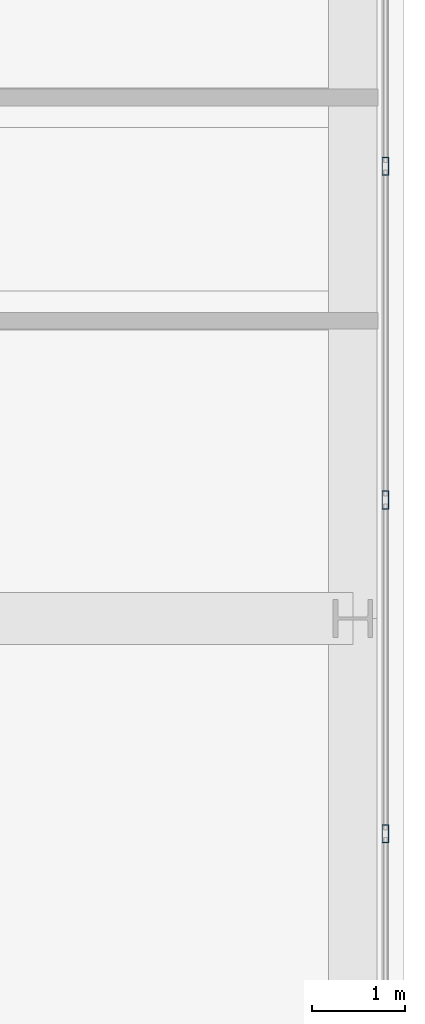
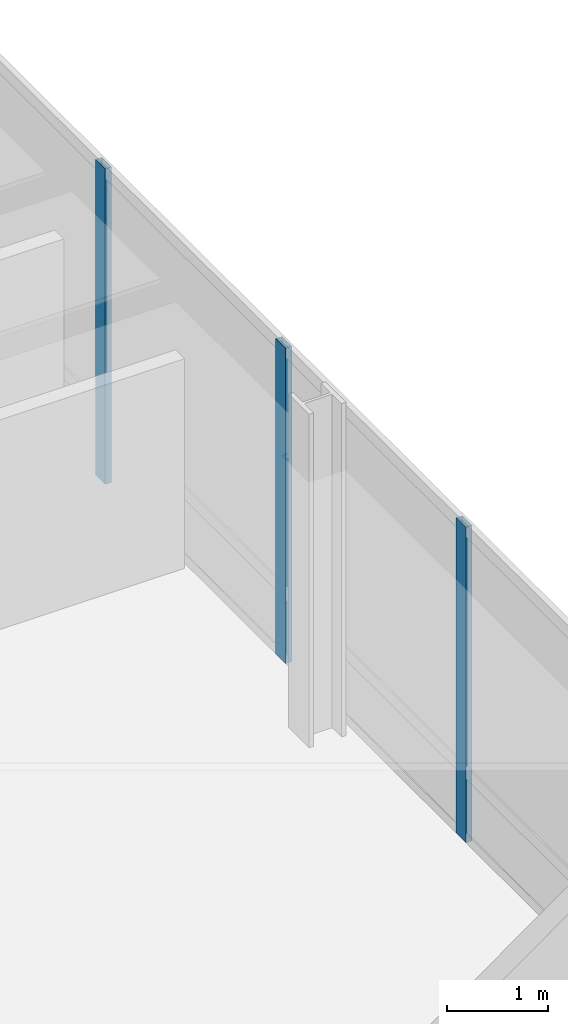
# One storey, part 20 of 37: 3 members, 1 element without a shape of its own.
"""IFC4 building model written with IfcOpenShell, lengths in metres."""

from ifc_helpers import new_model, si_unit, direction, frame, origin, origin_2d, place, context, subcontext, project, spatial, hollow_rectangle, extrude, material, material_profile, profile_set, type_object, element, aggregate, save


model = new_model("IFC4")

# Units and contexts
model_context = context("Model", 3, precision=1e-05, world=origin(), true_north=direction((0.0, 1.0)))
body_context = subcontext(model_context, "Body", "Model", "MODEL_VIEW")
ifc_project = project(units=[si_unit("LENGTHUNIT", "METRE"), si_unit("AREAUNIT", "SQUARE_METRE"), si_unit("VOLUMEUNIT", "CUBIC_METRE"), si_unit("PLANEANGLEUNIT", "RADIAN"), si_unit("MASSUNIT", "GRAM", prefix="KILO")], contexts=[model_context])

# Site, building, storey
site_placement = place(None, origin())
site = spatial("IfcSite", under=ifc_project, at=site_placement, CompositionType="ELEMENT")
building_placement = place(site_placement, origin())
building = spatial("IfcBuilding", under=site, at=building_placement, Name="Punatoya Terracotta Tower", CompositionType="ELEMENT")
storey_placement = place(building_placement, frame((0.0, 0.0, 224.85009765625)))
storey = spatial("IfcBuildingStorey", under=building, at=storey_placement, Name="L53", CompositionType="ELEMENT", Elevation=224.85009765625)

# Curtain wall, members
ifc_material_1 = material(Name="Aluminium 6063-T6 + Double Low-E Glass", Category="aluminium")
curtain_wall_type = type_object("IfcCurtainWallType", Name="CW-M2", PredefinedType="NOTDEFINED", material=ifc_material_1)
curtain_wall_placement = place(storey_placement, origin())
curtain_wall = element("IfcCurtainWall", 1, at=curtain_wall_placement, inside=storey, type_object=curtain_wall_type, Name="L53 Curtain Wall CW-L53-E04-1", PredefinedType="NOTDEFINED")
ifc_material_2 = material(Name="Aluminium 6063-T6", Category="aluminium")
ifc_material_profile = material_profile(ifc_material_2, hollow_rectangle(XDim=0.072021484375, YDim=0.195068359375, WallThickness=0.00439453125, at=origin_2d()))
ifc_profile_set = profile_set([ifc_material_profile], Name="Aluminium 6063-T6")
member_type = type_object("IfcMemberType", Name="CW-MUL-M2", PredefinedType="MULLION", material=ifc_profile_set)
member_1_placement = place(storey_placement, frame((24.85009765625, 1.087158203125, 0.0), z_axis=(0.0, 0.0, 1.0), x_axis=(1.0, 0.0, 0.0)))
member_1 = element("IfcMember", 2, at=member_1_placement, type_object=member_type, Name="CW-L53-E04-1 Mullion 05", PredefinedType="MULLION", context=body_context, shape_type="SweptSolid", body=[
    extrude(hollow_rectangle(XDim=0.072021484375, YDim=0.195068359375, WallThickness=0.00439453125, at=origin_2d()), origin(), (0.0, 0.0, 1.0), 3.829833984375),
])
member_2_placement = place(storey_placement, frame((24.85009765625, 4.674560546875, 0.0), z_axis=(0.0, 0.0, 1.0), x_axis=(1.0, 0.0, 0.0)))
member_2 = element("IfcMember", 3, at=member_2_placement, type_object=member_type, Name="CW-L53-E04-1 Mullion 06", PredefinedType="MULLION", context=body_context, shape_type="SweptSolid", body=[
    extrude(hollow_rectangle(XDim=0.072021484375, YDim=0.195068359375, WallThickness=0.00439453125, at=origin_2d()), origin(), (0.0, 0.0, 1.0), 3.829833984375),
])
member_3_placement = place(storey_placement, frame((24.85009765625, 8.261962890625, 0.0), z_axis=(0.0, 0.0, 1.0), x_axis=(1.0, 0.0, 0.0)))
member_3 = element("IfcMember", 4, at=member_3_placement, type_object=member_type, Name="CW-L53-E04-1 Mullion 07", PredefinedType="MULLION", context=body_context, shape_type="SweptSolid", body=[
    extrude(hollow_rectangle(XDim=0.072021484375, YDim=0.195068359375, WallThickness=0.00439453125, at=origin_2d()), origin(), (0.0, 0.0, 1.0), 3.829833984375),
])
aggregate(curtain_wall, [member_1, member_2, member_3])

save(model, "model.ifc")
